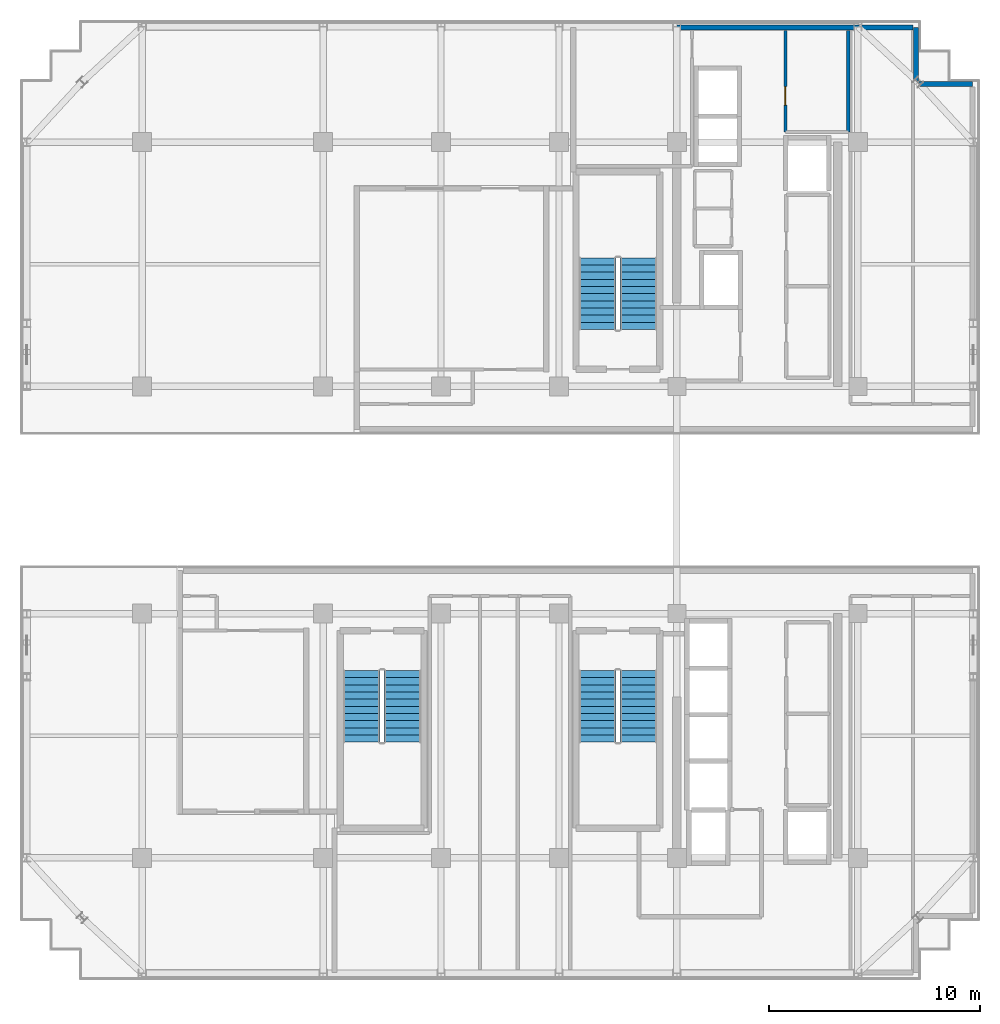
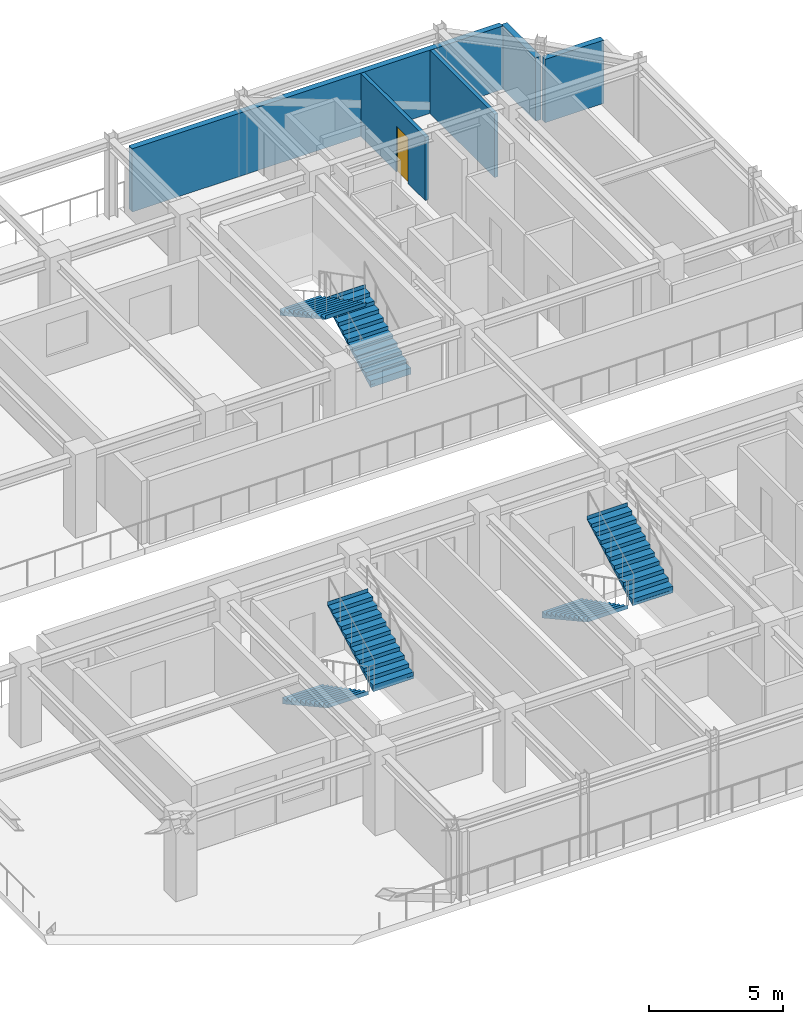
# One storey, part 8 of 14: 6 stair flights, 5 walls, 1 door, 1 opening, 3 elements without a shape of their own.
"""IFC4 building model written with IfcOpenShell, lengths in metres."""

from ifc_helpers import new_model, si_unit, direction, frame, frame_2d, origin, place, context, subcontext, project, spatial, polyline, rectangle, outline, extrude, source, transform, mapped, material, layer, layer_set, type_object, element, fill, aggregate, save


model = new_model("IFC4")

# Units and contexts
model_context = context("Model", 3, precision=1e-05, world=origin(), true_north=direction((0.0, 1.0)))
body_context = subcontext(model_context, "Body", "Model", "MODEL_VIEW")
ifc_project = project(units=[si_unit("LENGTHUNIT", "METRE"), si_unit("AREAUNIT", "SQUARE_METRE"), si_unit("VOLUMEUNIT", "CUBIC_METRE"), si_unit("PLANEANGLEUNIT", "RADIAN"), si_unit("MASSUNIT", "GRAM", prefix="KILO")], contexts=[model_context])

# Site, building, storey
site_placement = place(None, origin())
site = spatial("IfcSite", under=ifc_project, at=site_placement, CompositionType="ELEMENT")
building_placement = place(site_placement, origin())
building = spatial("IfcBuilding", under=site, at=building_placement, Name="Nahalor Promenade Grand Hotel", CompositionType="ELEMENT")
storey_placement = place(building_placement, frame((0.0, 0.0, 300.35009765625)))
storey = spatial("IfcBuildingStorey", under=building, at=storey_placement, Name="L77", CompositionType="ELEMENT", Elevation=300.35009765625)

# Walls
ifc_material_1 = material(Name="Concrete B-40 (C32/40)", Category="concrete")
ifc_layer_1 = layer(ifc_material_1, 0.25)
ifc_layer_set_1 = layer_set([ifc_layer_1], Name="Concrete B-40 (C32/40)")
wall_type_1 = type_object("IfcWallType", Name="Wall-BronzePier-250", PredefinedType="STANDARD", material=ifc_layer_set_1)
shared_shape_1 = source(origin(), body_context, "Body", "SweptSolid", [
    extrude(rectangle(XDim=16.0, YDim=0.25, at=frame_2d((8.0, 0.0))), origin(), (0.0, 0.0, 1.0), 2.889892578125),
])
wall_1_placement = place(storey_placement, frame((3.6201171875, 22.43994140625, 0.0), z_axis=(0.0, 0.0, 1.0), x_axis=(1.0, 0.0, 0.0)))
element("IfcWall", 1, at=wall_1_placement, inside=storey, type_object=wall_type_1, Name="W-L77-WPENV-NN", PredefinedType="STANDARD", context=body_context, shape_type="MappedRepresentation", body=[
    mapped(shared_shape_1, transform((0.0, 0.0, 0.0), scale=1.0)),
])
shared_shape_2 = source(origin(), body_context, "Body", "SweptSolid", [
    extrude(rectangle(XDim=2.5400390625, YDim=0.25, at=frame_2d((1.27001953125, 0.0))), origin(), (0.0, 0.0, 1.0), 2.889892578125),
])
for number, where, z_axis, x_axis, name in (
    (2, (19.760009765625, 19.89990234375, 0.0), (0.0, 0.0, 1.0), (0.0, 1.0, 0.0), "W-L77-WPENV-NNE1"),
    (3, (19.89990234375, 19.760009765625, 0.0), (0.0, 0.0, 1.0), (1.0, 0.0, 0.0), "W-L77-WPENV-NNE2"),
):
    element("IfcWall", number, at=place(storey_placement, frame(where, z_axis=z_axis, x_axis=x_axis)), inside=storey, type_object=wall_type_1, Name=name, PredefinedType="STANDARD", context=body_context, shape_type="MappedRepresentation", body=[
        mapped(shared_shape_2, transform((0.0, 0.0, 0.0), scale=1.0)),
    ])

# Wall, opening, door
ifc_material_2 = material(Name="Acoustic Mineral Gypsum", Category="gypsum")
ifc_layer_2 = layer(ifc_material_2, 0.159912109375)
ifc_layer_set_2 = layer_set([ifc_layer_2], Name="Acoustic Mineral Gypsum")
wall_type_2 = type_object("IfcWallType", Name="Wall-PartCorridor-160", PredefinedType="PARTITIONING", material=ifc_layer_set_2)
shared_shape_3 = source(origin(), body_context, "Body", "SweptSolid", [
    extrude(rectangle(XDim=4.820068359375, YDim=0.159912109375, at=frame_2d((2.41015625, 0.0))), origin(), (0.0, 0.0, 1.0), 2.889892578125),
])
wall_2_placement = place(storey_placement, frame((13.56005859375, 17.47998046875, 0.0), z_axis=(0.0, 0.0, 1.0), x_axis=(0.0, 1.0, 0.0)))
wall_2 = element("IfcWall", 4, at=wall_2_placement, inside=storey, type_object=wall_type_2, Name="W-L77-WPNNE-W", PredefinedType="PARTITIONING", context=body_context, shape_type="MappedRepresentation", body=[
    mapped(shared_shape_3, transform((0.0, 0.0, 0.0), scale=1.0)),
])
opening_placement = place(wall_2_placement, frame((1.280029296875, 0.0, 0.0)))
opening = element("IfcOpeningElement", 5, at=opening_placement, cuts=wall_2, Name="Opening D-03", PredefinedType="OPENING", context=body_context, shape_type="SweptSolid", body=[
    extrude(rectangle(XDim=0.8798828125, YDim=2.10009765625, at=frame_2d((0.43994140625, 1.050048828125))), frame((0.0, 0.08984375, 0.0), z_axis=(0.0, -1.0, 0.0), x_axis=(1.0, 0.0, 0.0)), (0.0, 0.0, 1.0), 0.179931640625),
])
ifc_material_3 = material(Name="Fire-Rated Timber Composite", Category="wood")
door_type = type_object("IfcDoorType", Name="Door-BathSwing-880", OperationType="NOTDEFINED", PredefinedType="DOOR", material=ifc_material_3)
shared_shape_4 = source(origin(), body_context, "Body", "SweptSolid", [
    extrude(rectangle(XDim=0.8798828125, YDim=2.10009765625, at=frame_2d((0.43994140625, 1.050048828125))), frame((0.0, 0.02490234375, 0.0), z_axis=(0.0, -1.0, 0.0), x_axis=(1.0, 0.0, 0.0)), (0.0, 0.0, 1.0), 0.050048828125),
])
door_placement = place(opening_placement, frame((0.8798828125, 0.0, 0.0), z_axis=(0.0, 0.0, 1.0), x_axis=(-1.0, 0.0, 0.0)))
door = element("IfcDoor", 6, at=door_placement, inside=storey, type_object=door_type, Name="DR-L77-WPNNE", OperationType="SINGLE_SWING_RIGHT", OverallHeight=2.10009765625, OverallWidth=0.8798828125, PredefinedType="DOOR", context=body_context, shape_type="MappedRepresentation", body=[
    mapped(shared_shape_4, transform((0.0, 0.0, 0.0), scale=1.0)),
])
fill(opening, door)

# Wall
wall_3_placement = place(storey_placement, frame((16.550048828125, 17.47998046875, 0.0), z_axis=(0.0, 0.0, 1.0), x_axis=(0.0, 1.0, 0.0)))
element("IfcWall", 7, at=wall_3_placement, inside=storey, type_object=wall_type_2, Name="W-L77-WPNNE-E", PredefinedType="PARTITIONING", context=body_context, shape_type="MappedRepresentation", body=[
    mapped(shared_shape_3, transform((0.0, 0.0, 0.0), scale=1.0)),
])

# Stair, stair flights
ifc_material_4 = material(Name="Concrete B-50 (C40/50)", Category="concrete")
stair_type_1 = type_object("IfcStairType", Name="Stair-ST1", PredefinedType="HALF_TURN_STAIR", material=ifc_material_4)
stair_1_placement = place(storey_placement, origin())
stair_1 = element("IfcStair", 8, at=stair_1_placement, inside=storey, type_object=stair_type_1, Name="L77 ST1", PredefinedType="HALF_TURN_STAIR")
ifc_layer_3 = layer(ifc_material_4, 0.179931640625)
ifc_layer_set_3 = layer_set([ifc_layer_3], Name="Concrete B-50 (C40/50)")
stair_flight_type_1 = type_object("IfcStairFlightType", Name="Flight-ST1", PredefinedType="STRAIGHT", material=ifc_layer_set_3)
shared_shape_5 = source(origin(), body_context, "Body", "SweptSolid", [
    extrude(outline(polyline([(-0.00390625, -0.1201171875), (-0.00390625, 0.0), (0.0, 0.0), (0.0, 0.175048828125), (0.340087890625, 0.175048828125), (0.340087890625, 0.35009765625), (0.679931640625, 0.35009765625), (0.679931640625, 0.52490234375), (1.02001953125, 0.52490234375), (1.02001953125, 0.699951171875), (1.360107421875, 0.699951171875), (1.360107421875, 0.875), (1.699951171875, 0.875), (1.699951171875, 1.050048828125), (2.0400390625, 1.050048828125), (2.0400390625, 1.22509765625), (2.3798828125, 1.22509765625), (2.3798828125, 1.39990234375), (2.719970703125, 1.39990234375), (2.719970703125, 1.574951171875), (3.06005859375, 1.574951171875), (3.06005859375, 1.75), (3.39990234375, 1.75), (3.39990234375, 1.925048828125), (3.404052734375, 1.925048828125), (3.404052734375, 1.7451171875), (0.02001953125, -0.1201171875), (-0.00390625, -0.1201171875)])), frame((0.0, 0.875, 0.0), z_axis=(0.0, -1.0, 0.0), x_axis=(1.0, 0.0, 0.0)), (0.0, 0.0, 1.0), 1.75),
])
stair_flight_1_placement = place(storey_placement, frame((6.574951171875, 8.10009765625, 0.0), z_axis=(0.0, 0.0, 1.0), x_axis=(0.0, 1.0, 0.0)))
stair_flight_1 = element("IfcStairFlight", 9, at=stair_flight_1_placement, type_object=stair_flight_type_1, Name="ST1 flight 1", NumberOfRisers=11, NumberOfTreads=10, PredefinedType="STRAIGHT", RiserHeight=0.175, TreadLength=0.34, context=body_context, shape_type="MappedRepresentation", body=[
    mapped(shared_shape_5, transform((0.0, 0.0, 0.0), scale=1.0)),
])
stair_flight_2_placement = place(storey_placement, frame((4.625, 11.5, 1.9248046875), z_axis=(0.0, 0.0, 1.0), x_axis=(0.0, -1.0, 0.0)))
stair_flight_2 = element("IfcStairFlight", 10, at=stair_flight_2_placement, type_object=stair_flight_type_1, Name="ST1 flight 2", NumberOfRisers=11, NumberOfTreads=10, PredefinedType="STRAIGHT", RiserHeight=0.175, TreadLength=0.34, context=body_context, shape_type="MappedRepresentation", body=[
    mapped(shared_shape_5, transform((0.0, 0.0, 0.0), scale=1.0)),
])
aggregate(stair_1, [stair_flight_1, stair_flight_2])

stair_type_2 = type_object("IfcStairType", Name="Stair-ST2", PredefinedType="HALF_TURN_STAIR", material=ifc_material_4)
stair_2_placement = place(storey_placement, origin())
stair_2 = element("IfcStair", 11, at=stair_2_placement, inside=storey, type_object=stair_type_2, Name="L77 ST2", PredefinedType="HALF_TURN_STAIR")
ifc_layer_4 = layer(ifc_material_4, 0.18994140625)
ifc_layer_set_4 = layer_set([ifc_layer_4], Name="Concrete B-50 (C40/50)")
stair_flight_type_2 = type_object("IfcStairFlightType", Name="Flight-ST2", PredefinedType="STRAIGHT", material=ifc_layer_set_4)
shared_shape_6 = source(origin(), body_context, "Body", "SweptSolid", [
    extrude(outline(polyline([(-0.00390625, -0.1201171875), (-0.00390625, 0.0), (0.0, 0.0), (0.0, 0.175048828125), (0.340087890625, 0.175048828125), (0.340087890625, 0.35009765625), (0.679931640625, 0.35009765625), (0.679931640625, 0.52490234375), (1.02001953125, 0.52490234375), (1.02001953125, 0.699951171875), (1.360107421875, 0.699951171875), (1.360107421875, 0.875), (1.699951171875, 0.875), (1.699951171875, 1.050048828125), (2.0400390625, 1.050048828125), (2.0400390625, 1.22509765625), (2.3798828125, 1.22509765625), (2.3798828125, 1.39990234375), (2.719970703125, 1.39990234375), (2.719970703125, 1.574951171875), (3.06005859375, 1.574951171875), (3.06005859375, 1.75), (3.39990234375, 1.75), (3.39990234375, 1.925048828125), (3.404052734375, 1.925048828125), (3.404052734375, 1.7451171875), (0.02001953125, -0.1201171875), (-0.00390625, -0.1201171875)])), frame((0.0, 0.875, 0.0), z_axis=(0.0, -1.0, 0.0), x_axis=(1.0, 0.0, 0.0)), (0.0, 0.0, 1.0), 1.75),
])
stair_flight_3_placement = place(storey_placement, frame((4.625, -8.10009765625, 0.0), z_axis=(0.0, 0.0, 1.0), x_axis=(0.0, -1.0, 0.0)))
stair_flight_3 = element("IfcStairFlight", 12, at=stair_flight_3_placement, type_object=stair_flight_type_2, Name="ST2 flight 1", NumberOfRisers=11, NumberOfTreads=10, PredefinedType="STRAIGHT", RiserHeight=0.175, TreadLength=0.34, context=body_context, shape_type="MappedRepresentation", body=[
    mapped(shared_shape_6, transform((0.0, 0.0, 0.0), scale=1.0)),
])
stair_flight_4_placement = place(storey_placement, frame((6.574951171875, -11.5, 1.9248046875), z_axis=(0.0, 0.0, 1.0), x_axis=(0.0, 1.0, 0.0)))
stair_flight_4 = element("IfcStairFlight", 13, at=stair_flight_4_placement, type_object=stair_flight_type_2, Name="ST2 flight 2", NumberOfRisers=11, NumberOfTreads=10, PredefinedType="STRAIGHT", RiserHeight=0.175, TreadLength=0.34, context=body_context, shape_type="MappedRepresentation", body=[
    mapped(shared_shape_6, transform((0.0, 0.0, 0.0), scale=1.0)),
])
aggregate(stair_2, [stair_flight_3, stair_flight_4])

stair_type_3 = type_object("IfcStairType", Name="Stair-ST3", PredefinedType="HALF_TURN_STAIR", material=ifc_material_4)
stair_3_placement = place(storey_placement, origin())
stair_3 = element("IfcStair", 14, at=stair_3_placement, inside=storey, type_object=stair_type_3, Name="L77 ST3", PredefinedType="HALF_TURN_STAIR")
ifc_layer_5 = layer(ifc_material_4, 0.199951171875)
ifc_layer_set_5 = layer_set([ifc_layer_5], Name="Concrete B-50 (C40/50)")
stair_flight_type_3 = type_object("IfcStairFlightType", Name="Flight-ST3", PredefinedType="STRAIGHT", material=ifc_layer_set_5)
shared_shape_7 = source(origin(), body_context, "Body", "SweptSolid", [
    extrude(outline(polyline([(-0.00390625, -0.1201171875), (-0.00390625, 0.0), (0.0, 0.0), (0.0, 0.175048828125), (0.340087890625, 0.175048828125), (0.340087890625, 0.35009765625), (0.679931640625, 0.35009765625), (0.679931640625, 0.52490234375), (1.02001953125, 0.52490234375), (1.02001953125, 0.699951171875), (1.360107421875, 0.699951171875), (1.360107421875, 0.875), (1.699951171875, 0.875), (1.699951171875, 1.050048828125), (2.0400390625, 1.050048828125), (2.0400390625, 1.22509765625), (2.3798828125, 1.22509765625), (2.3798828125, 1.39990234375), (2.719970703125, 1.39990234375), (2.719970703125, 1.574951171875), (3.06005859375, 1.574951171875), (3.06005859375, 1.75), (3.39990234375, 1.75), (3.39990234375, 1.925048828125), (3.404052734375, 1.925048828125), (3.404052734375, 1.7451171875), (0.02001953125, -0.1201171875), (-0.00390625, -0.1201171875)])), frame((0.0, 0.875, 0.0), z_axis=(0.0, -1.0, 0.0), x_axis=(1.0, 0.0, 0.0)), (0.0, 0.0, 1.0), 1.75),
])
stair_flight_5_placement = place(storey_placement, frame((-6.574951171875, -8.10009765625, 0.0), z_axis=(0.0, 0.0, 1.0), x_axis=(0.0, -1.0, 0.0)))
stair_flight_5 = element("IfcStairFlight", 15, at=stair_flight_5_placement, type_object=stair_flight_type_3, Name="ST3 flight 1", NumberOfRisers=11, NumberOfTreads=10, PredefinedType="STRAIGHT", RiserHeight=0.175, TreadLength=0.34, context=body_context, shape_type="MappedRepresentation", body=[
    mapped(shared_shape_7, transform((0.0, 0.0, 0.0), scale=1.0)),
])
stair_flight_6_placement = place(storey_placement, frame((-4.625, -11.5, 1.9248046875), z_axis=(0.0, 0.0, 1.0), x_axis=(0.0, 1.0, 0.0)))
stair_flight_6 = element("IfcStairFlight", 16, at=stair_flight_6_placement, type_object=stair_flight_type_3, Name="ST3 flight 2", NumberOfRisers=11, NumberOfTreads=10, PredefinedType="STRAIGHT", RiserHeight=0.175, TreadLength=0.34, context=body_context, shape_type="MappedRepresentation", body=[
    mapped(shared_shape_7, transform((0.0, 0.0, 0.0), scale=1.0)),
])
aggregate(stair_3, [stair_flight_5, stair_flight_6])

save(model, "model.ifc")
